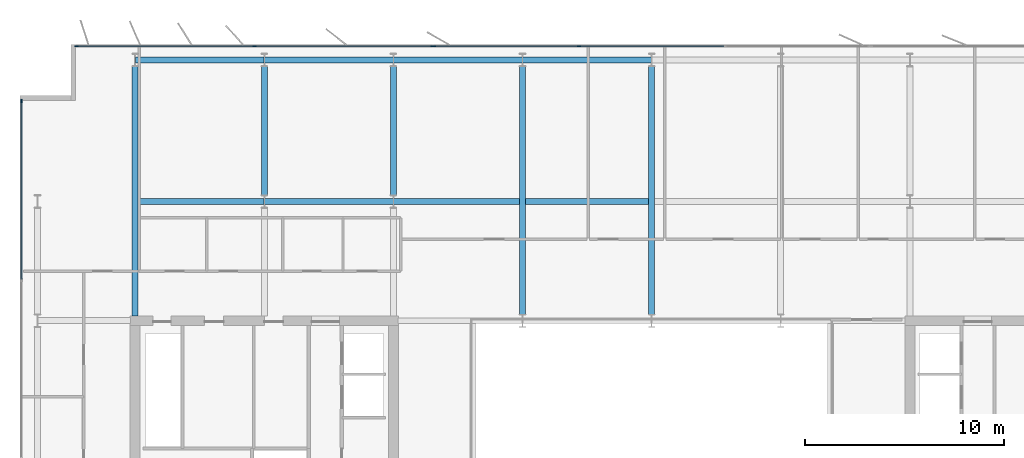
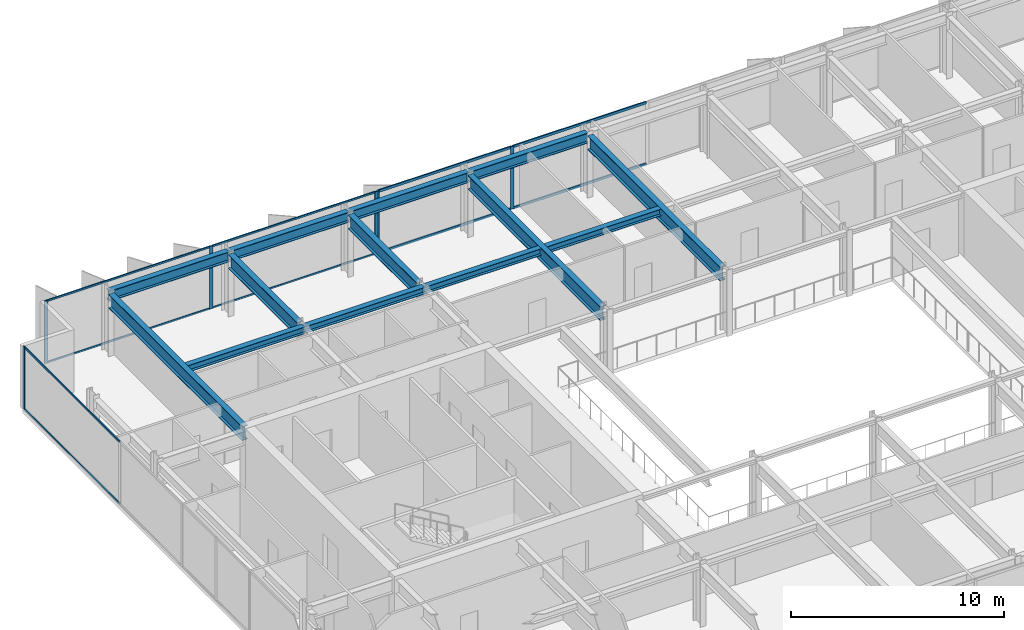
# One storey, part 8 of 19: 16 members, 13 beams, 3 elements without a shape of their own.
"""IFC4 building model written with IfcOpenShell, lengths in metres."""

import ifcopenshell
import ifcopenshell.guid

model = None  # the IFC model being written
_history = None  # IfcOwnerHistory: only IFC2X3 demands one
_inside = {}  # id of a spatial element -> (the spatial element, [elements in it])
_under = {}  # id of a project, library or spatial element -> (it, [spatial elements below it])
_declared = {}  # id of a project -> (the project, [libraries it declares])
_typed = {}  # id of a type object -> (the type object, [elements of that type])
_made_of = {}  # id of a material, layer set ... -> (it, [elements and type objects made of it])


def new_model(schema):
    """Start an empty IFC model of exactly this schema.

    Asked for "IFC4X3", IfcOpenShell would pick the latest addendum, in which some entities
    have other attributes; the version numbers below select the first issue.
    IFC2X3 requires an IfcOwnerHistory on every rooted entity: one is made here for all.
    """
    global model, _history
    if schema == "IFC4X3":
        model = ifcopenshell.file(schema_version=(4, 3, 0, 0))
    else:
        model = ifcopenshell.file(schema=schema)
    _inside.clear()
    _under.clear()
    _declared.clear()
    _typed.clear()
    _made_of.clear()
    _history = None
    if model.schema == "IFC2X3":
        org = make("IfcOrganization", Name="unknown")
        user = make(
            "IfcPersonAndOrganization",
            ThePerson=make("IfcPerson", FamilyName="unknown"),
            TheOrganization=org,
        )
        app = make(
            "IfcApplication",
            ApplicationDeveloper=org,
            Version="unknown",
            ApplicationFullName="unknown",
            ApplicationIdentifier="unknown",
        )
        _history = make(
            "IfcOwnerHistory",
            OwningUser=user,
            OwningApplication=app,
            ChangeAction="ADDED",
            CreationDate=0,
        )
    return model


def make(cls, **values):
    """One entity of the class cls with the attributes given. An attribute that is None is left unset."""
    return model.create_entity(
        cls, **{name: value for name, value in values.items() if value is not None}
    )


def rooted(cls, **values):
    """An entity with a GlobalId (a new one), such as an element, a storey or a relation."""
    return make(cls, GlobalId=ifcopenshell.guid.new(), OwnerHistory=_history, **values)


def si_unit(unit_type, name, prefix=None):
    """IfcSIUnit, for example si_unit("LENGTHUNIT", "METRE", prefix="MILLI")."""
    return make("IfcSIUnit", UnitType=unit_type, Prefix=prefix, Name=name)


def assignment(units):
    """IfcUnitAssignment: the units of a project."""
    return None if units is None else make("IfcUnitAssignment", Units=units)


def point(xyz):
    """IfcCartesianPoint."""
    return None if xyz is None else make("IfcCartesianPoint", Coordinates=xyz)


def direction(xyz):
    """IfcDirection."""
    return None if xyz is None else make("IfcDirection", DirectionRatios=xyz)


def frame(location, z_axis=None, x_axis=None):
    """IfcAxis2Placement3D, a coordinate frame: its origin and axes. An axis left out is left unset."""
    return make(
        "IfcAxis2Placement3D",
        Location=point(location),
        Axis=direction(z_axis),
        RefDirection=direction(x_axis),
    )


def frame_2d(location, x_axis=None):
    """IfcAxis2Placement2D, a coordinate frame in the plane: its origin and x axis."""
    return make(
        "IfcAxis2Placement2D", Location=point(location), RefDirection=direction(x_axis)
    )


def origin():
    """The frame at (0, 0, 0) with its axes left unset."""
    return frame((0.0, 0.0, 0.0))


def origin_2d():
    """The frame at (0, 0) in the plane with its x axis left unset."""
    return frame_2d((0.0, 0.0))


def place(relative_to, where):
    """IfcLocalPlacement: puts the frame where relative to a parent placement (None: the world)."""
    return make(
        "IfcLocalPlacement", PlacementRelTo=relative_to, RelativePlacement=where
    )


def context(
    kind, dimensions, precision=None, world=None, true_north=None, identifier=None
):
    """IfcGeometricRepresentationContext, for example the 3D "Model" context."""
    return make(
        "IfcGeometricRepresentationContext",
        ContextIdentifier=identifier,
        ContextType=kind,
        CoordinateSpaceDimension=dimensions,
        Precision=precision,
        WorldCoordinateSystem=world,
        TrueNorth=true_north,
    )


def subcontext(parent, identifier, kind, view, scale=None):
    """IfcGeometricRepresentationSubContext, for example "Body" below "Model"."""
    return make(
        "IfcGeometricRepresentationSubContext",
        ContextIdentifier=identifier,
        ContextType=kind,
        ParentContext=parent,
        TargetScale=scale,
        TargetView=view,
    )


def project(units=None, contexts=None):
    """IfcProject with its units and contexts."""
    return rooted(
        "IfcProject",
        Name="project",
        RepresentationContexts=contexts,
        UnitsInContext=assignment(units),
    )


def spatial(cls, under=None, at=None, **own):
    """A site, building, storey or space (cls), placed at a placement, below another one or the project."""
    s = rooted(cls, ObjectPlacement=at, **own)
    if under is not None:
        _under.setdefault(under.id(), (under, []))[1].append(s)
    return s


def profile(cls, at=None, kind="AREA", **sizes):
    """A parametric profile (cls). Its sizes go by their IFC names, for example OverallWidth=200.0."""
    return make(cls, ProfileType=kind, Position=at, **sizes)


def rectangle(**sizes):
    """IfcRectangleProfileDef."""
    return profile("IfcRectangleProfileDef", **sizes)


def i_section(**sizes):
    """IfcIShapeProfileDef."""
    return profile("IfcIShapeProfileDef", **sizes)


def extrude(swept, where, along, depth):
    """IfcExtrudedAreaSolid: the profile swept, set in the frame where, extruded along a direction by depth."""
    return make(
        "IfcExtrudedAreaSolid",
        SweptArea=swept,
        Position=where,
        ExtrudedDirection=direction(along),
        Depth=depth,
    )


def shape(context_of_items, identifier, shape_type, items):
    """IfcShapeRepresentation: the items that make up one representation, for example the "Body"."""
    return make(
        "IfcShapeRepresentation",
        ContextOfItems=context_of_items,
        RepresentationIdentifier=identifier,
        RepresentationType=shape_type,
        Items=items,
    )


def material(Name=None, Category=None):
    """IfcMaterial."""
    return make("IfcMaterial", Name=Name, Category=Category)


def layer(
    of_material, thickness, ventilated=None, Name=None, Category=None, Priority=None
):
    """IfcMaterialLayer: one layer of a wall or slab, of a material (None: an air gap)."""
    return make(
        "IfcMaterialLayer",
        Material=of_material,
        LayerThickness=thickness,
        IsVentilated=ventilated,
        Name=Name,
        Category=Category,
        Priority=Priority,
    )


def layer_set(layers, Name=None):
    """IfcMaterialLayerSet."""
    return make("IfcMaterialLayerSet", MaterialLayers=layers, LayerSetName=Name)


def material_profile(
    of_material, cross_section, Name=None, Category=None, Priority=None
):
    """IfcMaterialProfile: a cross section and its material."""
    return make(
        "IfcMaterialProfile",
        Name=Name,
        Material=of_material,
        Profile=cross_section,
        Priority=Priority,
        Category=Category,
    )


def profile_set(profiles, Name=None, composite=None):
    """IfcMaterialProfileSet."""
    return make(
        "IfcMaterialProfileSet",
        Name=Name,
        MaterialProfiles=profiles,
        CompositeProfile=composite,
    )


def made_of(thing, what):
    """Note that an element or type object is made of a material, layer set ...; save() writes the relation."""
    if what is not None:
        _made_of.setdefault(what.id(), (what, []))[1].append(thing)
    return thing


def type_object(cls, material=None, **own):
    """A type object (cls), such as IfcWallType, which elements share."""
    return made_of(rooted(cls, **own), material)


def element(
    cls,
    number,
    at=None,
    inside=None,
    cuts=None,
    type_object=None,
    material=None,
    context=None,
    identifier="Body",
    shape_type=None,
    held_by="IfcProductDefinitionShape",
    body=None,
    shapes=None,
    **own,
):
    """One element of the class cls, such as IfcWall. Its Tag is "e" and its number.

    at: its placement. inside: the storey or other place that contains it. cuts: it is an
    opening in that element (IfcRelVoidsElement). A single representation is given by context,
    identifier, shape_type and body (its items); several are given by shapes. held_by: the class
    of the entity that holds the representations. save() writes the other relations.
    """
    e = rooted(cls, Tag="e%d" % number, ObjectPlacement=at, **own)
    if body is not None:
        shapes = [shape(context, identifier, shape_type, body)]
    if shapes is not None:
        e.Representation = make(held_by, Representations=shapes)
    if inside is not None:
        _inside.setdefault(inside.id(), (inside, []))[1].append(e)
    if cuts is not None:
        rooted(
            "IfcRelVoidsElement", RelatingBuildingElement=cuts, RelatedOpeningElement=e
        )
    if type_object is not None:
        _typed.setdefault(type_object.id(), (type_object, []))[1].append(e)
    return made_of(e, material)


def aggregate(whole, parts):
    """IfcRelAggregates: a whole, such as a stair, and the parts it consists of."""
    return rooted("IfcRelAggregates", RelatingObject=whole, RelatedObjects=parts)


def save(model, path):
    """Write the relations noted so far, then the file.

    IfcRelAggregates (storeys below a building ...), IfcRelContainedInSpatialStructure (elements
    in a storey), IfcRelDefinesByType, IfcRelAssociatesMaterial and IfcRelDeclares: one each for
    every whole, place, type object, material and project.
    """
    for whole, parts in _under.values():
        aggregate(whole, parts)
    for where, things in _inside.values():
        rooted(
            "IfcRelContainedInSpatialStructure",
            RelatedElements=things,
            RelatingStructure=where,
        )
    for kind, things in _typed.values():
        rooted("IfcRelDefinesByType", RelatedObjects=things, RelatingType=kind)
    for what, things in _made_of.values():
        rooted("IfcRelAssociatesMaterial", RelatedObjects=things, RelatingMaterial=what)
    for by, libraries in _declared.values():
        rooted("IfcRelDeclares", RelatingContext=by, RelatedDefinitions=libraries)
    model.write(path)


model = new_model("IFC4")

# Units and contexts
model_context = context("Model", 3, precision=1e-05, world=origin(), true_north=direction((0.0, 1.0)))
body_context = subcontext(model_context, "Body", "Model", "MODEL_VIEW")
ifc_project = project(units=[si_unit("LENGTHUNIT", "METRE"), si_unit("AREAUNIT", "SQUARE_METRE"), si_unit("VOLUMEUNIT", "CUBIC_METRE"), si_unit("PLANEANGLEUNIT", "RADIAN"), si_unit("MASSUNIT", "GRAM", prefix="KILO")], contexts=[model_context])

# Site, building, storey
site_placement = place(None, origin())
site = spatial("IfcSite", under=ifc_project, at=site_placement, CompositionType="ELEMENT")
building_placement = place(site_placement, origin())
building = spatial("IfcBuilding", under=site, at=building_placement, Name="Putna Gate Headquarters", CompositionType="ELEMENT")
storey_placement = place(building_placement, frame((0.0, 0.0, 263.199951171875)))
storey = spatial("IfcBuildingStorey", under=building, at=storey_placement, Name="L66", CompositionType="ELEMENT", Elevation=263.199951171875)

# Beams
ifc_material_1 = material(Name="Steel S355J2", Category="steel")
ifc_material_profile_1 = material_profile(ifc_material_1, i_section(OverallWidth=0.300048828125, OverallDepth=0.800048828125, WebThickness=0.017578125, FlangeThickness=0.032958984375, at=origin_2d()), Name="Steel S355J2")
ifc_profile_set_1 = profile_set([ifc_material_profile_1], Name="Steel S355J2")
beam_type_1 = type_object("IfcBeamType", Name="BM-GIRD-P-HEB800", PredefinedType="USERDEFINED", material=ifc_profile_set_1)
beam_1_placement = place(storey_placement, frame((13.0, 33.235107421875, 3.18798828125), z_axis=(0.0, 1.0, 0.0), x_axis=(-1.0, 0.0, 0.0)))
element("IfcBeam", 1, at=beam_1_placement, inside=storey, type_object=beam_type_1, Name="L66 North Primary Girder X13", ObjectType="GIRDER", PredefinedType="USERDEFINED", context=body_context, shape_type="SweptSolid", body=[
    extrude(i_section(OverallWidth=0.300048828125, OverallDepth=0.800048828125, WebThickness=0.017578125, FlangeThickness=0.032958984375, at=origin_2d()), origin(), (0.0, 0.0, 1.0), 12.56298828125),
])
for number, where, z_axis, x_axis, name in (
    (2, (19.5, 39.322021484375, 3.18798828125), (0.0, 1.0, 0.0), (-1.0, 0.0, 0.0), "L66 North Primary Girder X19-2"),
    (3, (26.0, 39.322021484375, 3.18798828125), (0.0, 1.0, 0.0), (-1.0, 0.0, 0.0), "L66 North Primary Girder X26-2"),
):
    element("IfcBeam", number, at=place(storey_placement, frame(where, z_axis=z_axis, x_axis=x_axis)), inside=storey, type_object=beam_type_1, Name=name, ObjectType="GIRDER", PredefinedType="USERDEFINED", context=body_context, shape_type="SweptSolid", body=[
        extrude(i_section(OverallWidth=0.300048828125, OverallDepth=0.800048828125, WebThickness=0.017578125, FlangeThickness=0.032958984375, at=origin_2d()), origin(), (0.0, 0.0, 1.0), 6.47607421875),
    ])
for number, where, z_axis, x_axis, name in (
    (4, (32.5, 33.322021484375, 3.18798828125), (0.0, 1.0, 0.0), (-1.0, 0.0, 0.0), "L66 North Primary Girder X32"),
    (5, (39.0, 33.322021484375, 3.18798828125), (0.0, 1.0, 0.0), (-1.0, 0.0, 0.0), "L66 North Primary Girder X39"),
):
    element("IfcBeam", number, at=place(storey_placement, frame(where, z_axis=z_axis, x_axis=x_axis)), inside=storey, type_object=beam_type_1, Name=name, ObjectType="GIRDER", PredefinedType="USERDEFINED", context=body_context, shape_type="SweptSolid", body=[
        extrude(i_section(OverallWidth=0.300048828125, OverallDepth=0.800048828125, WebThickness=0.017578125, FlangeThickness=0.032958984375, at=origin_2d()), origin(), (0.0, 0.0, 1.0), 12.47607421875),
    ])
ifc_material_profile_2 = material_profile(ifc_material_1, i_section(OverallWidth=0.300048828125, OverallDepth=0.389892578125, WebThickness=0.010986328125, FlangeThickness=0.01904296875, at=origin_2d()), Name="Steel S355J2")
ifc_profile_set_2 = profile_set([ifc_material_profile_2], Name="Steel S355J2")
beam_type_2 = type_object("IfcBeamType", Name="BM-SEC-Z5-HEA400", PredefinedType="BEAM", material=ifc_profile_set_2)
beam_2_placement = place(storey_placement, frame((13.154052734375, 39.0, 3.39306640625), z_axis=(1.0, 0.0, 0.0), x_axis=(0.0, 1.0, 0.0)))
element("IfcBeam", 6, at=beam_2_placement, inside=storey, type_object=beam_type_2, Name="L66 North Secondary Beam 1", PredefinedType="BEAM", context=body_context, shape_type="SweptSolid", body=[
    extrude(i_section(OverallWidth=0.300048828125, OverallDepth=0.389892578125, WebThickness=0.010986328125, FlangeThickness=0.01904296875, at=origin_2d()), origin(), (0.0, 0.0, 1.0), 6.33984375),
])
beam_3_placement = place(storey_placement, frame((19.506103515625, 39.0, 3.39306640625), z_axis=(1.0, 0.0, 0.0), x_axis=(0.0, 1.0, 0.0)))
element("IfcBeam", 7, at=beam_3_placement, inside=storey, type_object=beam_type_2, Name="L66 North Secondary Beam 2", PredefinedType="BEAM", context=body_context, shape_type="SweptSolid", body=[
    extrude(i_section(OverallWidth=0.300048828125, OverallDepth=0.389892578125, WebThickness=0.010986328125, FlangeThickness=0.01904296875, at=origin_2d()), origin(), (0.0, 0.0, 1.0), 6.48779296875),
])
beam_4_placement = place(storey_placement, frame((26.006103515625, 39.0, 3.39306640625), z_axis=(1.0, 0.0, 0.0), x_axis=(0.0, 1.0, 0.0)))
element("IfcBeam", 8, at=beam_4_placement, inside=storey, type_object=beam_type_2, Name="L66 North Secondary Beam 3", PredefinedType="BEAM", context=body_context, shape_type="SweptSolid", body=[
    extrude(i_section(OverallWidth=0.300048828125, OverallDepth=0.389892578125, WebThickness=0.010986328125, FlangeThickness=0.01904296875, at=origin_2d()), origin(), (0.0, 0.0, 1.0), 6.33984375),
])
beam_5_placement = place(storey_placement, frame((32.654052734375, 39.0, 3.39306640625), z_axis=(1.0, 0.0, 0.0), x_axis=(0.0, 1.0, 0.0)))
element("IfcBeam", 9, at=beam_5_placement, inside=storey, type_object=beam_type_2, Name="L66 North Secondary Beam 4", PredefinedType="BEAM", context=body_context, shape_type="SweptSolid", body=[
    extrude(i_section(OverallWidth=0.300048828125, OverallDepth=0.389892578125, WebThickness=0.010986328125, FlangeThickness=0.01904296875, at=origin_2d()), origin(), (0.0, 0.0, 1.0), 6.19189453125),
])
ifc_material_profile_3 = material_profile(ifc_material_1, i_section(OverallWidth=0.300048828125, OverallDepth=0.590087890625, WebThickness=0.012939453125, FlangeThickness=0.02490234375, at=origin_2d()), Name="Steel S355J2")
ifc_profile_set_3 = profile_set([ifc_material_profile_3], Name="Steel S355J2")
beam_type_3 = type_object("IfcBeamType", Name="BM-SPAN-Z4-HEA600", PredefinedType="SPANDREL", material=ifc_profile_set_3)
for number, where, z_axis, x_axis, name in (
    (10, (13.006103515625, 46.1201171875, 3.29296875), (1.0, 0.0, 0.0), (0.0, 1.0, 0.0), "L66 N Perimeter Spandrel 1"),
    (11, (19.506103515625, 46.1201171875, 3.29296875), (1.0, 0.0, 0.0), (0.0, 1.0, 0.0), "L66 N Perimeter Spandrel 2"),
    (12, (26.006103515625, 46.1201171875, 3.29296875), (1.0, 0.0, 0.0), (0.0, 1.0, 0.0), "L66 N Perimeter Spandrel 3"),
    (13, (32.506103515625, 46.1201171875, 3.29296875), (1.0, 0.0, 0.0), (0.0, 1.0, 0.0), "L66 N Perimeter Spandrel 4"),
):
    element("IfcBeam", number, at=place(storey_placement, frame(where, z_axis=z_axis, x_axis=x_axis)), inside=storey, type_object=beam_type_3, Name=name, PredefinedType="SPANDREL", context=body_context, shape_type="SweptSolid", body=[
        extrude(i_section(OverallWidth=0.300048828125, OverallDepth=0.590087890625, WebThickness=0.012939453125, FlangeThickness=0.02490234375, at=origin_2d()), origin(), (0.0, 0.0, 1.0), 6.48779296875),
    ])

# Curtain wall, members
ifc_material_2 = material(Name="Anodised bronze aluminium curtain wall", Category="aluminium")
ifc_layer_1 = layer(ifc_material_2, 0.179931640625)
ifc_layer_set_1 = layer_set([ifc_layer_1], Name="Anodised bronze aluminium curtain wall")
curtain_wall_type_1 = type_object("IfcCurtainWallType", Name="CW-SYS-Z5", PredefinedType="USERDEFINED", material=ifc_layer_set_1)
curtain_wall_1_placement = place(storey_placement, origin())
curtain_wall_1 = element("IfcCurtainWall", 14, at=curtain_wall_1_placement, inside=storey, type_object=curtain_wall_type_1, Name="L66 North West Curtain Wall", ObjectType="STICK CURTAIN WALL", PredefinedType="USERDEFINED")
ifc_material_3 = material(Name="Anodised bronze aluminium EN AW-6060", Category="aluminium")
ifc_material_profile_4 = material_profile(ifc_material_3, rectangle(XDim=0.070068359375, YDim=0.179931640625, at=origin_2d()), Name="Anodised bronze aluminium EN AW-6060")
ifc_profile_set_4 = profile_set([ifc_material_profile_4], Name="Anodised bronze aluminium EN AW-6060")
member_type_1 = type_object("IfcMemberType", Name="MULL-CWM-5", PredefinedType="MULLION", material=ifc_profile_set_4)
member_1_placement = place(storey_placement, frame((10.034912109375, 46.820068359375, 0.0), z_axis=(0.0, 0.0, 1.0), x_axis=(0.0, 1.0, 0.0)))
member_1 = element("IfcMember", 15, at=member_1_placement, type_object=member_type_1, Name="CWS-5 mullion 1", PredefinedType="MULLION", context=body_context, shape_type="SweptSolid", body=[
    extrude(rectangle(XDim=0.070068359375, YDim=0.179931640625, at=origin_2d()), origin(), (0.0, 0.0, 1.0), 3.588134765625),
])
member_2_placement = place(storey_placement, frame((19.0, 46.820068359375, 0.0), z_axis=(0.0, 0.0, 1.0), x_axis=(0.0, 1.0, 0.0)))
member_2 = element("IfcMember", 16, at=member_2_placement, type_object=member_type_1, Name="CWS-5 mullion 2", PredefinedType="MULLION", context=body_context, shape_type="SweptSolid", body=[
    extrude(rectangle(XDim=0.070068359375, YDim=0.179931640625, at=origin_2d()), origin(), (0.0, 0.0, 1.0), 3.588134765625),
])
member_3_placement = place(storey_placement, frame((27.965087890625, 46.820068359375, 0.0), z_axis=(0.0, 0.0, 1.0), x_axis=(0.0, 1.0, 0.0)))
member_3 = element("IfcMember", 17, at=member_3_placement, type_object=member_type_1, Name="CWS-5 mullion 3", PredefinedType="MULLION", context=body_context, shape_type="SweptSolid", body=[
    extrude(rectangle(XDim=0.070068359375, YDim=0.179931640625, at=origin_2d()), origin(), (0.0, 0.0, 1.0), 3.588134765625),
])

# Curtain wall, member
curtain_wall_2_placement = place(storey_placement, origin())
curtain_wall_2 = element("IfcCurtainWall", 18, at=curtain_wall_2_placement, inside=storey, type_object=curtain_wall_type_1, Name="L66 West Curtain Wall", ObjectType="STICK CURTAIN WALL", PredefinedType="USERDEFINED")
member_4_placement = place(storey_placement, frame((7.280029296875, 44.06494140625, 0.0), z_axis=(0.0, 0.0, 1.0), x_axis=(-1.0, 0.0, 0.0)))
member_4 = element("IfcMember", 19, at=member_4_placement, type_object=member_type_1, Name="CWS-5 mullion 5", PredefinedType="MULLION", context=body_context, shape_type="SweptSolid", body=[
    extrude(rectangle(XDim=0.070068359375, YDim=0.179931640625, at=origin_2d()), origin(), (0.0, 0.0, 1.0), 3.588134765625),
])

# Curtain wall, members
ifc_layer_2 = layer(ifc_material_2, 0.179931640625)
ifc_layer_set_2 = layer_set([ifc_layer_2], Name="Anodised bronze aluminium curtain wall")
curtain_wall_type_2 = type_object("IfcCurtainWallType", Name="CW-SYS-ATR", PredefinedType="USERDEFINED", material=ifc_layer_set_2)
curtain_wall_3_placement = place(storey_placement, origin())
curtain_wall_3 = element("IfcCurtainWall", 20, at=curtain_wall_3_placement, inside=storey, type_object=curtain_wall_type_2, Name="L66 North Atrium Clear Glazing", ObjectType="ATRIUM GLAZING", PredefinedType="USERDEFINED")
ifc_material_profile_5 = material_profile(ifc_material_3, rectangle(XDim=0.070068359375, YDim=0.179931640625, at=origin_2d()), Name="Anodised bronze aluminium EN AW-6060")
ifc_profile_set_5 = profile_set([ifc_material_profile_5], Name="Anodised bronze aluminium EN AW-6060")
member_type_2 = type_object("IfcMemberType", Name="MULL-CWM-AT", PredefinedType="MULLION", material=ifc_profile_set_5)
member_5_placement = place(storey_placement, frame((28.034912109375, 46.820068359375, 0.0), z_axis=(0.0, 0.0, 1.0), x_axis=(0.0, 1.0, 0.0)))
member_5 = element("IfcMember", 21, at=member_5_placement, type_object=member_type_2, Name="CWS-AT mullion 1", PredefinedType="MULLION", context=body_context, shape_type="SweptSolid", body=[
    extrude(rectangle(XDim=0.070068359375, YDim=0.179931640625, at=origin_2d()), origin(), (0.0, 0.0, 1.0), 3.588134765625),
])
member_6_placement = place(storey_placement, frame((35.333251953125, 46.820068359375, 0.0), z_axis=(0.0, 0.0, 1.0), x_axis=(0.0, 1.0, 0.0)))
member_6 = element("IfcMember", 22, at=member_6_placement, type_object=member_type_2, Name="CWS-AT mullion 2", PredefinedType="MULLION", context=body_context, shape_type="SweptSolid", body=[
    extrude(rectangle(XDim=0.070068359375, YDim=0.179931640625, at=origin_2d()), origin(), (0.0, 0.0, 1.0), 3.588134765625),
])

# Member
ifc_material_profile_6 = material_profile(ifc_material_3, rectangle(XDim=0.06005859375, YDim=0.10009765625, at=origin_2d()), Name="Anodised bronze aluminium EN AW-6060")
ifc_profile_set_6 = profile_set([ifc_material_profile_6], Name="Anodised bronze aluminium EN AW-6060")
member_type_3 = type_object("IfcMemberType", Name="TRAN-CWT-5", PredefinedType="USERDEFINED", material=ifc_profile_set_6)
member_7_placement = place(storey_placement, frame((10.070068359375, 46.820068359375, 0.030029296875), z_axis=(1.0, 0.0, 0.0), x_axis=(0.0, 1.0, 0.0)))
member_7 = element("IfcMember", 23, at=member_7_placement, type_object=member_type_3, Name="CWS-5 transom 1.1", ObjectType="TRANSOM", PredefinedType="USERDEFINED", context=body_context, shape_type="SweptSolid", body=[
    extrude(rectangle(XDim=0.06005859375, YDim=0.10009765625, at=origin_2d()), origin(), (0.0, 0.0, 1.0), 8.89501953125),
])

member_8_placement = place(storey_placement, frame((10.070068359375, 46.820068359375, 3.55810546875), z_axis=(1.0, 0.0, 0.0), x_axis=(0.0, 1.0, 0.0)))
member_8 = element("IfcMember", 24, at=member_8_placement, type_object=member_type_3, Name="CWS-5 transom 1.2", ObjectType="TRANSOM", PredefinedType="USERDEFINED", context=body_context, shape_type="SweptSolid", body=[
    extrude(rectangle(XDim=0.06005859375, YDim=0.10009765625, at=origin_2d()), origin(), (0.0, 0.0, 1.0), 8.89501953125),
])

member_9_placement = place(storey_placement, frame((19.034912109375, 46.820068359375, 0.030029296875), z_axis=(1.0, 0.0, 0.0), x_axis=(0.0, 1.0, 0.0)))
member_9 = element("IfcMember", 25, at=member_9_placement, type_object=member_type_3, Name="CWS-5 transom 2.1", ObjectType="TRANSOM", PredefinedType="USERDEFINED", context=body_context, shape_type="SweptSolid", body=[
    extrude(rectangle(XDim=0.06005859375, YDim=0.10009765625, at=origin_2d()), origin(), (0.0, 0.0, 1.0), 8.89501953125),
])

member_10_placement = place(storey_placement, frame((19.034912109375, 46.820068359375, 3.55810546875), z_axis=(1.0, 0.0, 0.0), x_axis=(0.0, 1.0, 0.0)))
member_10 = element("IfcMember", 26, at=member_10_placement, type_object=member_type_3, Name="CWS-5 transom 2.2", ObjectType="TRANSOM", PredefinedType="USERDEFINED", context=body_context, shape_type="SweptSolid", body=[
    extrude(rectangle(XDim=0.06005859375, YDim=0.10009765625, at=origin_2d()), origin(), (0.0, 0.0, 1.0), 8.89501953125),
])

aggregate(curtain_wall_1, [member_1, member_2, member_3, member_7, member_8, member_9, member_10])

member_11_placement = place(storey_placement, frame((7.280029296875, 35.0849609375, 0.030029296875), z_axis=(0.0, 1.0, 0.0), x_axis=(-1.0, 0.0, 0.0)))
member_11 = element("IfcMember", 27, at=member_11_placement, type_object=member_type_3, Name="CWS-5 transom 4.1", ObjectType="TRANSOM", PredefinedType="USERDEFINED", context=body_context, shape_type="SweptSolid", body=[
    extrude(rectangle(XDim=0.06005859375, YDim=0.10009765625, at=origin_2d()), origin(), (0.0, 0.0, 1.0), 8.945068359375),
])

member_12_placement = place(storey_placement, frame((7.280029296875, 35.0849609375, 3.55810546875), z_axis=(0.0, 1.0, 0.0), x_axis=(-1.0, 0.0, 0.0)))
member_12 = element("IfcMember", 28, at=member_12_placement, type_object=member_type_3, Name="CWS-5 transom 4.2", ObjectType="TRANSOM", PredefinedType="USERDEFINED", context=body_context, shape_type="SweptSolid", body=[
    extrude(rectangle(XDim=0.06005859375, YDim=0.10009765625, at=origin_2d()), origin(), (0.0, 0.0, 1.0), 8.945068359375),
])

aggregate(curtain_wall_2, [member_4, member_11, member_12])

ifc_material_profile_7 = material_profile(ifc_material_3, rectangle(XDim=0.070068359375, YDim=0.139892578125, at=origin_2d()), Name="Anodised bronze aluminium EN AW-6060")
ifc_profile_set_7 = profile_set([ifc_material_profile_7], Name="Anodised bronze aluminium EN AW-6060")
member_type_4 = type_object("IfcMemberType", Name="TRAN-CWT-AT", PredefinedType="USERDEFINED", material=ifc_profile_set_7)
member_13_placement = place(storey_placement, frame((28.070068359375, 46.820068359375, 0.03515625), z_axis=(1.0, 0.0, 0.0), x_axis=(0.0, 1.0, 0.0)))
member_13 = element("IfcMember", 29, at=member_13_placement, type_object=member_type_4, Name="CWS-AT transom 1.1", ObjectType="TRANSOM", PredefinedType="USERDEFINED", context=body_context, shape_type="SweptSolid", body=[
    extrude(rectangle(XDim=0.070068359375, YDim=0.139892578125, at=origin_2d()), origin(), (0.0, 0.0, 1.0), 7.228271484375),
])

member_14_placement = place(storey_placement, frame((28.070068359375, 46.820068359375, 3.552978515625), z_axis=(1.0, 0.0, 0.0), x_axis=(0.0, 1.0, 0.0)))
member_14 = element("IfcMember", 30, at=member_14_placement, type_object=member_type_4, Name="CWS-AT transom 1.2", ObjectType="TRANSOM", PredefinedType="USERDEFINED", context=body_context, shape_type="SweptSolid", body=[
    extrude(rectangle(XDim=0.070068359375, YDim=0.139892578125, at=origin_2d()), origin(), (0.0, 0.0, 1.0), 7.228271484375),
])

member_15_placement = place(storey_placement, frame((35.368408203125, 46.820068359375, 0.03515625), z_axis=(1.0, 0.0, 0.0), x_axis=(0.0, 1.0, 0.0)))
member_15 = element("IfcMember", 31, at=member_15_placement, type_object=member_type_4, Name="CWS-AT transom 2.1", ObjectType="TRANSOM", PredefinedType="USERDEFINED", context=body_context, shape_type="SweptSolid", body=[
    extrude(rectangle(XDim=0.070068359375, YDim=0.139892578125, at=origin_2d()), origin(), (0.0, 0.0, 1.0), 7.26318359375),
])

member_16_placement = place(storey_placement, frame((35.368408203125, 46.820068359375, 3.552978515625), z_axis=(1.0, 0.0, 0.0), x_axis=(0.0, 1.0, 0.0)))
member_16 = element("IfcMember", 32, at=member_16_placement, type_object=member_type_4, Name="CWS-AT transom 2.2", ObjectType="TRANSOM", PredefinedType="USERDEFINED", context=body_context, shape_type="SweptSolid", body=[
    extrude(rectangle(XDim=0.070068359375, YDim=0.139892578125, at=origin_2d()), origin(), (0.0, 0.0, 1.0), 7.26318359375),
])

aggregate(curtain_wall_3, [member_5, member_6, member_13, member_14, member_15, member_16])

save(model, "model.ifc")
